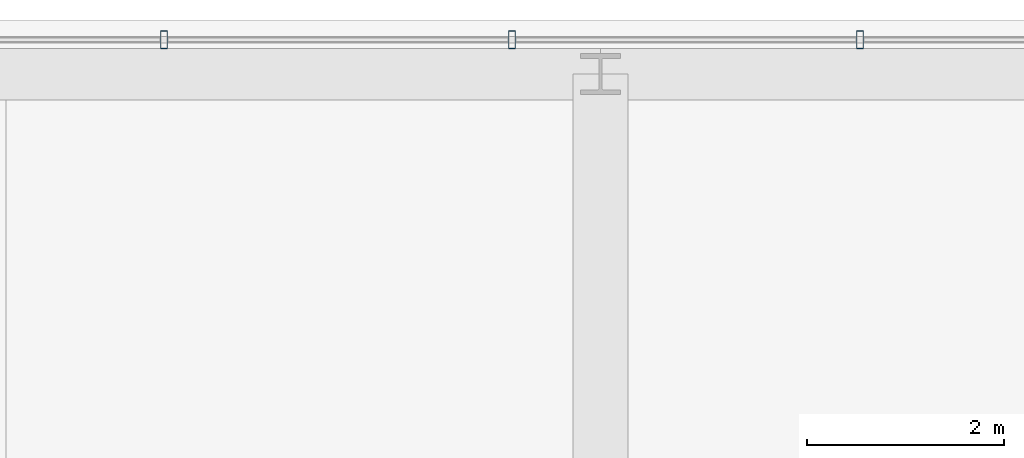
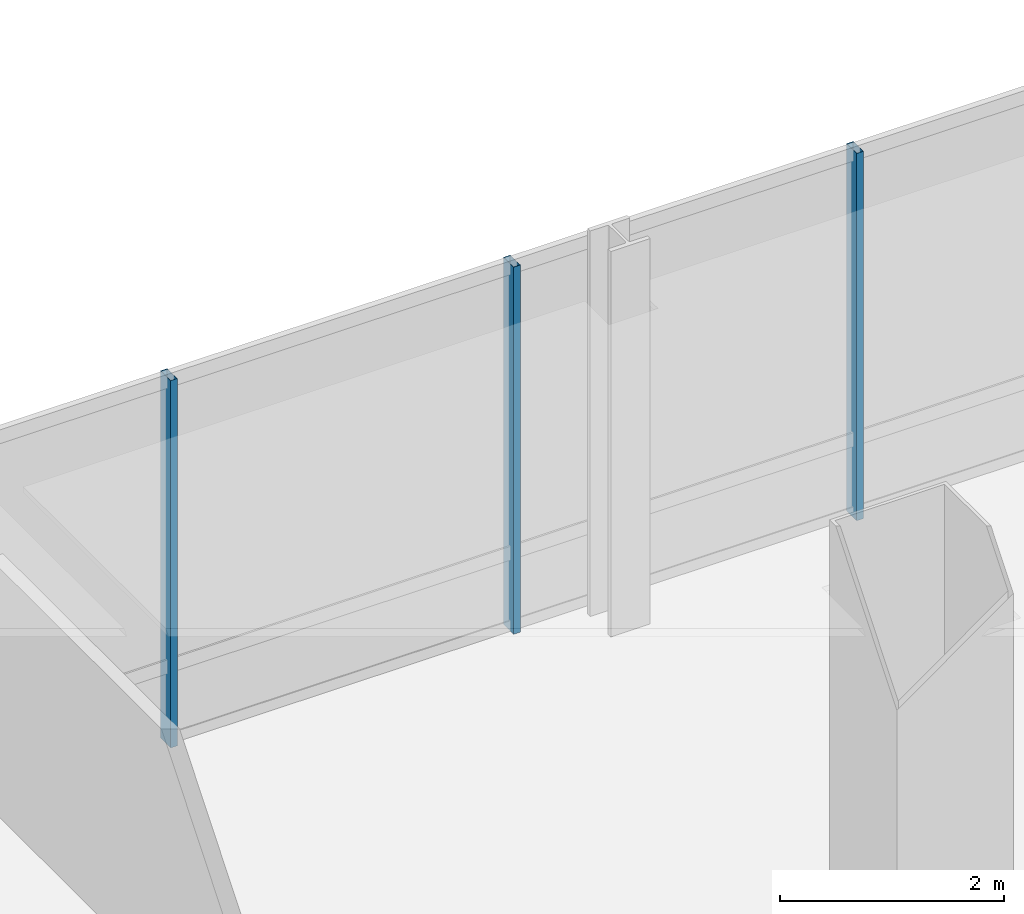
# One storey, part 27 of 41: 3 members, 1 element without a shape of its own.
"""IFC4 building model written with IfcOpenShell, lengths in metres."""

from ifc_helpers import new_model, si_unit, direction, frame, origin, origin_2d, place, context, subcontext, project, spatial, hollow_rectangle, extrude, material, material_profile, profile_set, type_object, element, aggregate, save


model = new_model("IFC4")

# Units and contexts
model_context = context("Model", 3, precision=1e-05, world=origin(), true_north=direction((0.0, 1.0)))
body_context = subcontext(model_context, "Body", "Model", "MODEL_VIEW")
ifc_project = project(units=[si_unit("LENGTHUNIT", "METRE"), si_unit("AREAUNIT", "SQUARE_METRE"), si_unit("VOLUMEUNIT", "CUBIC_METRE"), si_unit("PLANEANGLEUNIT", "RADIAN"), si_unit("MASSUNIT", "GRAM", prefix="KILO")], contexts=[model_context])

# Site, building, storey
site_placement = place(None, origin())
site = spatial("IfcSite", under=ifc_project, at=site_placement, CompositionType="ELEMENT")
building_placement = place(site_placement, origin())
building = spatial("IfcBuilding", under=site, at=building_placement, Name="Punatoya Terracotta Tower", CompositionType="ELEMENT")
storey_placement = place(building_placement, frame((0.0, 0.0, 309.0)))
storey = spatial("IfcBuildingStorey", under=building, at=storey_placement, Name="L73", CompositionType="ELEMENT", Elevation=309.0)

# Curtain wall, members
ifc_material_1 = material(Name="Aluminium 6063-T6 + Double Low-E Glass", Category="aluminium")
curtain_wall_type = type_object("IfcCurtainWallType", Name="CW-M3", PredefinedType="NOTDEFINED", material=ifc_material_1)
curtain_wall_placement = place(storey_placement, origin())
curtain_wall = element("IfcCurtainWall", 1, at=curtain_wall_placement, inside=storey, type_object=curtain_wall_type, Name="L73 Curtain Wall CW-L73-N09-1", PredefinedType="NOTDEFINED")
ifc_material_2 = material(Name="Aluminium 6063-T6", Category="aluminium")
ifc_material_profile = material_profile(ifc_material_2, hollow_rectangle(XDim=0.070068359375, YDim=0.179931640625, WallThickness=0.00390625, at=origin_2d()))
ifc_profile_set = profile_set([ifc_material_profile], Name="Aluminium 6063-T6")
member_type = type_object("IfcMemberType", Name="CW-MUL-M3", PredefinedType="MULLION", material=ifc_profile_set)
member_1_placement = place(storey_placement, frame((6.43505859375, 23.25, 0.0), z_axis=(0.0, 0.0, 1.0), x_axis=(1.0, 0.0, 0.0)))
member_1 = element("IfcMember", 2, at=member_1_placement, type_object=member_type, Name="CW-L73-N09-1 Mullion 03", PredefinedType="MULLION", context=body_context, shape_type="SweptSolid", body=[
    extrude(hollow_rectangle(XDim=0.070068359375, YDim=0.179931640625, WallThickness=0.00390625, at=origin_2d()), origin(), (0.0, 0.0, 1.0), 4.0),
])
member_2_placement = place(storey_placement, frame((2.90087890625, 23.25, 0.0), z_axis=(0.0, 0.0, 1.0), x_axis=(1.0, 0.0, 0.0)))
member_2 = element("IfcMember", 3, at=member_2_placement, type_object=member_type, Name="CW-L73-N09-1 Mullion 04", PredefinedType="MULLION", context=body_context, shape_type="SweptSolid", body=[
    extrude(hollow_rectangle(XDim=0.070068359375, YDim=0.179931640625, WallThickness=0.00390625, at=origin_2d()), origin(), (0.0, 0.0, 1.0), 4.0),
])
member_3_placement = place(storey_placement, frame((-0.633056640625, 23.25, 0.0), z_axis=(0.0, 0.0, 1.0), x_axis=(1.0, 0.0, 0.0)))
member_3 = element("IfcMember", 4, at=member_3_placement, type_object=member_type, Name="CW-L73-N09-1 Mullion 05", PredefinedType="MULLION", context=body_context, shape_type="SweptSolid", body=[
    extrude(hollow_rectangle(XDim=0.070068359375, YDim=0.179931640625, WallThickness=0.00390625, at=origin_2d()), origin(), (0.0, 0.0, 1.0), 4.0),
])
aggregate(curtain_wall, [member_1, member_2, member_3])

save(model, "model.ifc")
